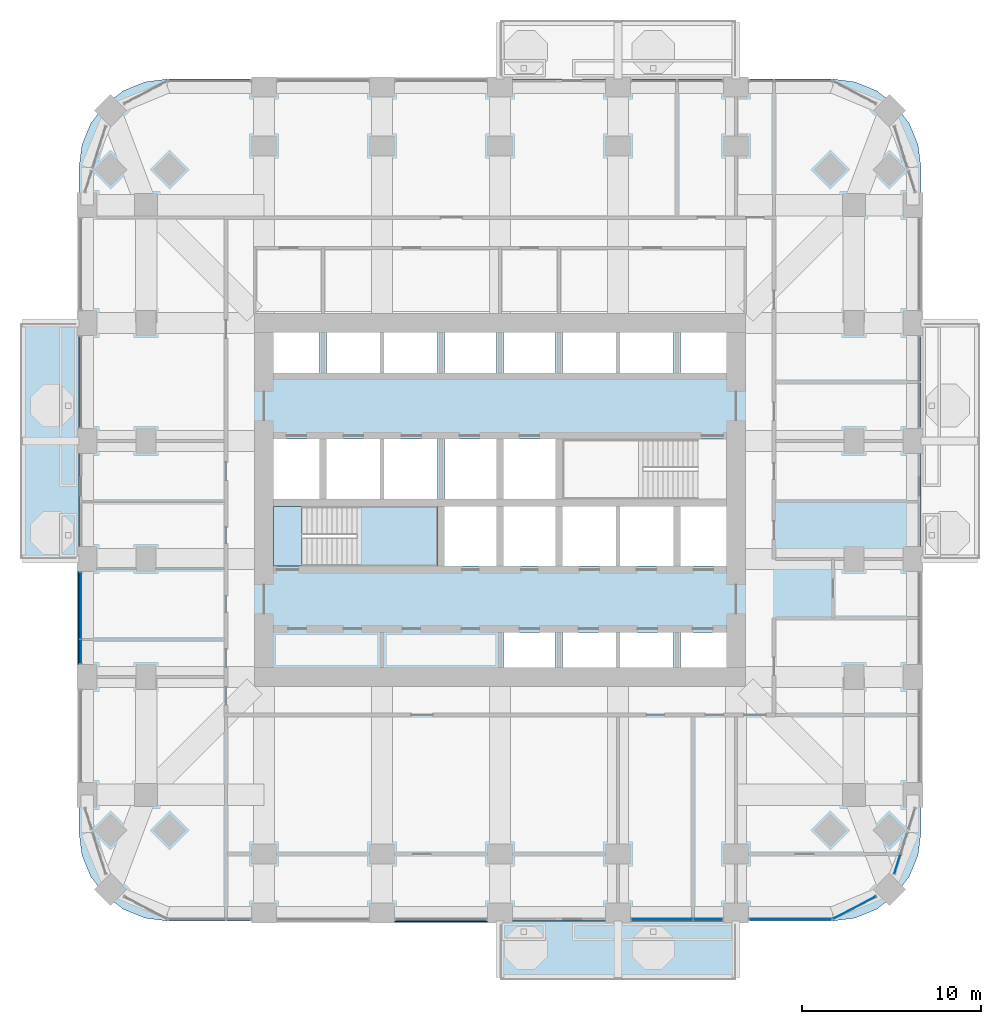
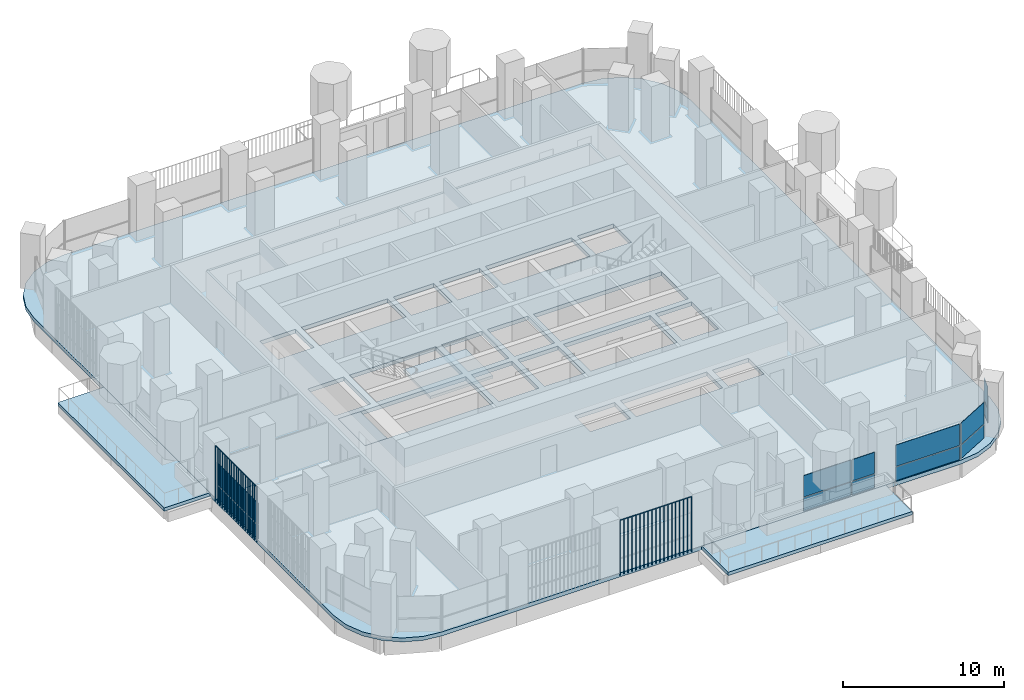
# One storey, part 10 of 22: 16 plates, 5 slabs, 6 elements without a shape of their own.
"""IFC4 building model written with IfcOpenShell, lengths in metres."""

from ifc_helpers import new_model, si_unit, direction, frame, origin, origin_2d, place, context, subcontext, project, spatial, polyline, rectangle, outline, extrude, material, layer, layer_set, type_object, element, aggregate, save


model = new_model("IFC4")

# Units and contexts
model_context = context("Model", 3, precision=1e-05, world=origin(), true_north=direction((0.0, 1.0)))
body_context = subcontext(model_context, "Body", "Model", "MODEL_VIEW")
ifc_project = project(units=[si_unit("LENGTHUNIT", "METRE"), si_unit("AREAUNIT", "SQUARE_METRE"), si_unit("VOLUMEUNIT", "CUBIC_METRE"), si_unit("PLANEANGLEUNIT", "RADIAN"), si_unit("MASSUNIT", "GRAM", prefix="KILO")], contexts=[model_context])

# Site, building, storey
site_placement = place(None, origin())
site = spatial("IfcSite", under=ifc_project, at=site_placement, CompositionType="ELEMENT")
building_placement = place(site_placement, origin())
building = spatial("IfcBuilding", under=site, at=building_placement, Name="Cobogo Forest Laboratory Tower", CompositionType="ELEMENT")
storey_placement = place(building_placement, frame((0.0, 0.0, 120.0)))
storey = spatial("IfcBuildingStorey", under=building, at=storey_placement, Name="L27", CompositionType="ELEMENT", Elevation=120.0)

# Slabs
ifc_material_1 = material(Name="Concrete HA-40 (C40/50)", Category="concrete")
ifc_layer_1 = layer(ifc_material_1, 0.25)
ifc_layer_set_1 = layer_set([ifc_layer_1], Name="Balcony slab 250")
slab_type_1 = type_object("IfcSlabType", Name="Balcony slab 250", PredefinedType="FLOOR", material=ifc_layer_set_1)
slab_1_placement = place(storey_placement, frame((0.0, 0.0, -0.25)))
element("IfcSlab", 1, at=slab_1_placement, inside=storey, type_object=slab_type_1, Name="Balcony BAL-S1 L27", PredefinedType="FLOOR", context=body_context, shape_type="SweptSolid", body=[
    extrude(outline(polyline([(26.39990234375, -3.75), (39.60009765625, -3.75), (39.60009765625, -0.449951171875), (26.39990234375, -0.449951171875), (26.39990234375, -3.75)])), origin(), (0.0, 0.0, 1.0), 0.25),
])
slab_2_placement = place(storey_placement, frame((0.0, 0.0, -0.25)))
element("IfcSlab", 2, at=slab_2_placement, inside=storey, type_object=slab_type_1, Name="Balcony BAL-W1 L27", PredefinedType="FLOOR", context=body_context, shape_type="SweptSolid", body=[
    extrude(outline(polyline([(-0.449951171875, 19.800048828125), (2.85009765625, 19.800048828125), (2.85009765625, 33.0), (-0.449951171875, 33.0), (-0.449951171875, 19.800048828125)])), origin(), (0.0, 0.0, 1.0), 0.25),
])
ifc_layer_2 = layer(ifc_material_1, 0.300048828125)
ifc_layer_set_2 = layer_set([ifc_layer_2], Name="Floor slab 300")
slab_type_2 = type_object("IfcSlabType", Name="Floor slab 300", PredefinedType="FLOOR", material=ifc_layer_set_2)
slab_3_placement = place(storey_placement, frame((0.0, 0.0, -0.300048828125)))
element("IfcSlab", 3, at=slab_3_placement, inside=storey, type_object=slab_type_2, Name="L27 floor slab", PredefinedType="FLOOR", context=body_context, shape_type="SweptSolid", body=[
    extrude(outline(polyline([(45.0, -0.449951171875), (46.28125, -0.28125), (47.47509765625, 0.213134765625), (48.500244140625, 0.999755859375), (49.286865234375, 2.02490234375), (49.78125, 3.21875), (49.949951171875, 4.5), (49.949951171875, 41.699951171875), (49.78125, 42.981201171875), (49.286865234375, 44.175048828125), (48.500244140625, 45.2001953125), (47.47509765625, 45.98681640625), (46.28125, 46.4814453125), (45.0, 46.64990234375), (7.800048828125, 46.64990234375), (6.518798828125, 46.4814453125), (5.324951171875, 45.98681640625), (4.2998046875, 45.2001953125), (3.51318359375, 44.175048828125), (3.0185546875, 42.981201171875), (2.85009765625, 41.699951171875), (2.85009765625, 4.5), (3.0185546875, 3.21875), (3.51318359375, 2.02490234375), (4.2998046875, 0.999755859375), (5.324951171875, 0.213134765625), (6.518798828125, -0.28125), (7.800048828125, -0.449951171875), (45.0, -0.449951171875)]), holes=[polyline([(29.5, 13.72509765625), (26.60009765625, 13.72509765625), (26.60009765625, 15.699951171875), (29.5, 15.699951171875), (29.5, 13.72509765625)]), polyline([(36.10009765625, 15.699951171875), (36.10009765625, 13.72509765625), (29.89990234375, 13.72509765625), (29.89990234375, 15.699951171875), (36.10009765625, 15.699951171875)]), polyline([(36.5, 13.72509765625), (36.5, 15.699951171875), (39.074951171875, 15.699951171875), (39.074951171875, 13.72509765625), (36.5, 13.72509765625)]), polyline([(13.72509765625, 19.39990234375), (13.72509765625, 22.75), (22.89990234375, 22.75), (22.89990234375, 19.39990234375), (13.72509765625, 19.39990234375)]), polyline([(23.300048828125, 19.39990234375), (23.300048828125, 22.75), (26.199951171875, 22.75), (26.199951171875, 19.39990234375), (23.300048828125, 19.39990234375)]), polyline([(29.5, 19.39990234375), (26.60009765625, 19.39990234375), (26.60009765625, 22.75), (29.5, 22.75), (29.5, 19.39990234375)]), polyline([(36.10009765625, 22.75), (36.10009765625, 19.39990234375), (29.89990234375, 19.39990234375), (29.89990234375, 22.75), (36.10009765625, 22.75)]), polyline([(39.074951171875, 19.39990234375), (36.5, 19.39990234375), (36.5, 22.75), (39.074951171875, 22.75), (39.074951171875, 19.39990234375)]), polyline([(16.300048828125, 23.14990234375), (13.72509765625, 23.14990234375), (13.72509765625, 26.5), (16.300048828125, 26.5), (16.300048828125, 23.14990234375)]), polyline([(22.89990234375, 26.5), (22.89990234375, 23.14990234375), (16.699951171875, 23.14990234375), (16.699951171875, 26.5), (22.89990234375, 26.5)]), polyline([(26.199951171875, 23.14990234375), (23.300048828125, 23.14990234375), (23.300048828125, 26.5), (26.199951171875, 26.5), (26.199951171875, 23.14990234375)]), polyline([(26.60009765625, 23.14990234375), (26.60009765625, 26.5), (29.5, 26.5), (29.5, 23.14990234375), (26.60009765625, 23.14990234375)]), polyline([(29.89990234375, 23.14990234375), (29.89990234375, 26.5), (39.074951171875, 26.5), (39.074951171875, 23.14990234375), (29.89990234375, 23.14990234375)]), polyline([(13.72509765625, 30.199951171875), (13.72509765625, 32.47509765625), (16.300048828125, 32.47509765625), (16.300048828125, 30.199951171875), (13.72509765625, 30.199951171875)]), polyline([(22.89990234375, 32.47509765625), (22.89990234375, 30.199951171875), (16.699951171875, 30.199951171875), (16.699951171875, 32.47509765625), (22.89990234375, 32.47509765625)]), polyline([(23.300048828125, 30.199951171875), (23.300048828125, 32.47509765625), (26.199951171875, 32.47509765625), (26.199951171875, 30.199951171875), (23.300048828125, 30.199951171875)]), polyline([(26.60009765625, 30.199951171875), (26.60009765625, 32.47509765625), (29.5, 32.47509765625), (29.5, 30.199951171875), (26.60009765625, 30.199951171875)]), polyline([(36.10009765625, 32.47509765625), (36.10009765625, 30.199951171875), (29.89990234375, 30.199951171875), (29.89990234375, 32.47509765625), (36.10009765625, 32.47509765625)]), polyline([(36.5, 30.199951171875), (36.5, 32.47509765625), (39.074951171875, 32.47509765625), (39.074951171875, 30.199951171875), (36.5, 30.199951171875)])]), origin(), (0.0, 0.0, 1.0), 0.300048828125),
])

# Curtain wall, plates
ifc_material_2 = material(Name="Aluminium curtain wall", Category="aluminium")
curtain_wall_type = type_object("IfcCurtainWallType", Name="CW-1 unitised curtain wall, clear glazing, laboratory floors zones A and B", PredefinedType="USERDEFINED", material=ifc_material_2)
curtain_wall_1_placement = place(storey_placement, origin())
curtain_wall_1 = element("IfcCurtainWall", 4, at=curtain_wall_1_placement, inside=storey, type_object=curtain_wall_type, Name="Curtain wall 05 L27", ObjectType="UNITISED CURTAIN WALL", PredefinedType="USERDEFINED")
ifc_material_3 = material(Name="Clear insulated glass", Category="glass")
ifc_layer_3 = layer(ifc_material_3, 0.028076171875)
ifc_layer_set_3 = layer_set([ifc_layer_3], Name="GP-1 clear insulated glass unit 28")
plate_type_1 = type_object("IfcPlateType", Name="GP-1 clear insulated glass unit 28", PredefinedType="CURTAIN_PANEL", material=ifc_layer_set_3)
plate_1_placement = place(storey_placement, frame((35.465087890625, -0.35009765625, 0.0), z_axis=(0.0, 0.0, 1.0), x_axis=(1.0, 0.0, 0.0)))
plate_1 = element("IfcPlate", 5, at=plate_1_placement, type_object=plate_type_1, Name="CW-1 panel 1.1", PredefinedType="CURTAIN_PANEL", context=body_context, shape_type="SweptSolid", body=[
    extrude(rectangle(XDim=3.409912109375, YDim=0.028076171875, at=origin_2d()), origin(), (0.0, 0.0, 1.0), 1.02001953125),
])
plate_2_placement = place(storey_placement, frame((35.465087890625, -0.35009765625, 1.079833984375), z_axis=(0.0, 0.0, 1.0), x_axis=(1.0, 0.0, 0.0)))
plate_2 = element("IfcPlate", 6, at=plate_2_placement, type_object=plate_type_1, Name="CW-1 panel 1.2", PredefinedType="CURTAIN_PANEL", context=body_context, shape_type="SweptSolid", body=[
    extrude(rectangle(XDim=3.409912109375, YDim=0.028076171875, at=origin_2d()), origin(), (0.0, 0.0, 1.0), 1.6201171875),
])
plate_3_placement = place(storey_placement, frame((38.034912109375, -0.35009765625, 0.0), z_axis=(0.0, 0.0, 1.0), x_axis=(1.0, 0.0, 0.0)))
plate_3 = element("IfcPlate", 7, at=plate_3_placement, type_object=plate_type_1, Name="CW-1 panel 2.1", PredefinedType="CURTAIN_PANEL", context=body_context, shape_type="SweptSolid", body=[
    extrude(rectangle(XDim=1.610107421875, YDim=0.028076171875, at=origin_2d()), origin(), (0.0, 0.0, 1.0), 1.02001953125),
])
plate_4_placement = place(storey_placement, frame((38.034912109375, -0.35009765625, 1.079833984375), z_axis=(0.0, 0.0, 1.0), x_axis=(1.0, 0.0, 0.0)))
plate_4 = element("IfcPlate", 8, at=plate_4_placement, type_object=plate_type_1, Name="CW-1 panel 2.2", PredefinedType="CURTAIN_PANEL", context=body_context, shape_type="SweptSolid", body=[
    extrude(rectangle(XDim=1.610107421875, YDim=0.028076171875, at=origin_2d()), origin(), (0.0, 0.0, 1.0), 1.6201171875),
])
aggregate(curtain_wall_1, [plate_1, plate_2, plate_3, plate_4])

curtain_wall_2_placement = place(storey_placement, origin())
curtain_wall_2 = element("IfcCurtainWall", 9, at=curtain_wall_2_placement, inside=storey, type_object=curtain_wall_type, Name="Curtain wall 06 L27", ObjectType="UNITISED CURTAIN WALL", PredefinedType="USERDEFINED")
plate_5_placement = place(storey_placement, frame((42.64990234375, -0.35009765625, 0.0), z_axis=(0.0, 0.0, 1.0), x_axis=(1.0, 0.0, 0.0)))
plate_5 = element("IfcPlate", 10, at=plate_5_placement, type_object=plate_type_1, Name="CW-1 panel 1.1", PredefinedType="CURTAIN_PANEL", context=body_context, shape_type="SweptSolid", body=[
    extrude(rectangle(XDim=4.580078125, YDim=0.028076171875, at=origin_2d()), origin(), (0.0, 0.0, 1.0), 1.02001953125),
])
plate_6_placement = place(storey_placement, frame((42.64990234375, -0.35009765625, 1.079833984375), z_axis=(0.0, 0.0, 1.0), x_axis=(1.0, 0.0, 0.0)))
plate_6 = element("IfcPlate", 11, at=plate_6_placement, type_object=plate_type_1, Name="CW-1 panel 1.2", PredefinedType="CURTAIN_PANEL", context=body_context, shape_type="SweptSolid", body=[
    extrude(rectangle(XDim=4.580078125, YDim=0.028076171875, at=origin_2d()), origin(), (0.0, 0.0, 1.0), 1.6201171875),
])
aggregate(curtain_wall_2, [plate_5, plate_6])

curtain_wall_3_placement = place(storey_placement, origin())
curtain_wall_3 = element("IfcCurtainWall", 12, at=curtain_wall_3_placement, inside=storey, type_object=curtain_wall_type, Name="Curtain wall 07 L27", ObjectType="UNITISED CURTAIN WALL", PredefinedType="USERDEFINED")
plate_7_placement = place(storey_placement, frame((46.229248046875, 0.29443359375, 0.0), z_axis=(0.0, 0.0, 1.0), x_axis=(0.885686547075, 0.464283685186, 0.0)))
plate_7 = element("IfcPlate", 13, at=plate_7_placement, type_object=plate_type_1, Name="CW-1 panel 1.1", PredefinedType="CURTAIN_PANEL", context=body_context, shape_type="SweptSolid", body=[
    extrude(rectangle(XDim=2.655517578125, YDim=0.028076171875, at=origin_2d()), origin(), (0.0, 0.0, 1.0), 1.02001953125),
])
plate_8_placement = place(storey_placement, frame((46.229248046875, 0.29443359375, 1.079833984375), z_axis=(0.0, 0.0, 1.0), x_axis=(0.885686547075, 0.464283685186, 0.0)))
plate_8 = element("IfcPlate", 14, at=plate_8_placement, type_object=plate_type_1, Name="CW-1 panel 1.2", PredefinedType="CURTAIN_PANEL", context=body_context, shape_type="SweptSolid", body=[
    extrude(rectangle(XDim=2.655517578125, YDim=0.028076171875, at=origin_2d()), origin(), (0.0, 0.0, 1.0), 1.6201171875),
])
aggregate(curtain_wall_3, [plate_7, plate_8])

curtain_wall_4_placement = place(storey_placement, origin())
curtain_wall_4 = element("IfcCurtainWall", 15, at=curtain_wall_4_placement, inside=storey, type_object=curtain_wall_type, Name="Curtain wall 08 L27", ObjectType="UNITISED CURTAIN WALL", PredefinedType="USERDEFINED")
plate_9_placement = place(storey_placement, frame((48.6279296875, 2.73046875, 0.0), z_axis=(0.0, 0.0, 1.0), x_axis=(0.301135291996, 0.953581425949, 0.0)))
plate_9 = element("IfcPlate", 16, at=plate_9_placement, type_object=plate_type_1, Name="CW-1 panel 1.1", PredefinedType="CURTAIN_PANEL", context=body_context, shape_type="SweptSolid", body=[
    extrude(rectangle(XDim=1.083984375, YDim=0.028076171875, at=origin_2d()), origin(), (0.0, 0.0, 1.0), 1.02001953125),
])
plate_10_placement = place(storey_placement, frame((48.6279296875, 2.73046875, 1.079833984375), z_axis=(0.0, 0.0, 1.0), x_axis=(0.301135291996, 0.953581425949, 0.0)))
plate_10 = element("IfcPlate", 17, at=plate_10_placement, type_object=plate_type_1, Name="CW-1 panel 1.2", PredefinedType="CURTAIN_PANEL", context=body_context, shape_type="SweptSolid", body=[
    extrude(rectangle(XDim=1.083984375, YDim=0.028076171875, at=origin_2d()), origin(), (0.0, 0.0, 1.0), 1.6201171875),
])
aggregate(curtain_wall_4, [plate_9, plate_10])

curtain_wall_5_placement = place(storey_placement, origin())
curtain_wall_5 = element("IfcCurtainWall", 18, at=curtain_wall_5_placement, inside=storey, type_object=curtain_wall_type, Name="Curtain wall 30 L27", ObjectType="UNITISED CURTAIN WALL", PredefinedType="USERDEFINED")
plate_11_placement = place(storey_placement, frame((2.949951171875, 17.18505859375, 0.0), z_axis=(0.0, 0.0, 1.0), x_axis=(0.0, -1.0, 0.0)))
plate_11 = element("IfcPlate", 19, at=plate_11_placement, type_object=plate_type_1, Name="CW-1 panel 1.1", PredefinedType="CURTAIN_PANEL", context=body_context, shape_type="SweptSolid", body=[
    extrude(rectangle(XDim=3.7099609375, YDim=0.028076171875, at=origin_2d()), origin(), (0.0, 0.0, 1.0), 1.02001953125),
])
plate_12_placement = place(storey_placement, frame((2.949951171875, 17.18505859375, 1.079833984375), z_axis=(0.0, 0.0, 1.0), x_axis=(0.0, -1.0, 0.0)))
plate_12 = element("IfcPlate", 20, at=plate_12_placement, type_object=plate_type_1, Name="CW-1 panel 1.2", PredefinedType="CURTAIN_PANEL", context=body_context, shape_type="SweptSolid", body=[
    extrude(rectangle(XDim=3.7099609375, YDim=0.028076171875, at=origin_2d()), origin(), (0.0, 0.0, 1.0), 1.6201171875),
])
plate_13_placement = place(storey_placement, frame((2.949951171875, 14.614990234375, 0.0), z_axis=(0.0, 0.0, 1.0), x_axis=(0.0, -1.0, 0.0)))
plate_13 = element("IfcPlate", 21, at=plate_13_placement, type_object=plate_type_1, Name="CW-1 panel 2.1", PredefinedType="CURTAIN_PANEL", context=body_context, shape_type="SweptSolid", body=[
    extrude(rectangle(XDim=1.31005859375, YDim=0.028076171875, at=origin_2d()), origin(), (0.0, 0.0, 1.0), 1.02001953125),
])
plate_14_placement = place(storey_placement, frame((2.949951171875, 14.614990234375, 1.079833984375), z_axis=(0.0, 0.0, 1.0), x_axis=(0.0, -1.0, 0.0)))
plate_14 = element("IfcPlate", 22, at=plate_14_placement, type_object=plate_type_1, Name="CW-1 panel 2.2", PredefinedType="CURTAIN_PANEL", context=body_context, shape_type="SweptSolid", body=[
    extrude(rectangle(XDim=1.31005859375, YDim=0.028076171875, at=origin_2d()), origin(), (0.0, 0.0, 1.0), 1.6201171875),
])
aggregate(curtain_wall_5, [plate_11, plate_12, plate_13, plate_14])

# Stair, slabs
ifc_material_4 = material(Name="Precast concrete HA-40 (C40/50)", Category="concrete")
stair_type = type_object("IfcStairType", Name="ST24 exit stair 24 risers", PredefinedType="HALF_TURN_STAIR", material=ifc_material_4)
stair_placement = place(storey_placement, origin())
stair = element("IfcStair", 23, at=stair_placement, inside=storey, type_object=stair_type, Name="Stair 1 L27 to L28", PredefinedType="HALF_TURN_STAIR")
ifc_layer_4 = layer(ifc_material_1, 0.199951171875)
ifc_layer_set_4 = layer_set([ifc_layer_4], Name="SL stair landing 200")
slab_type_3 = type_object("IfcSlabType", Name="SL stair landing 200", PredefinedType="LANDING", material=ifc_layer_set_4)
slab_4_placement = place(storey_placement, frame((0.0, 0.0, -0.199951171875)))
slab_4 = element("IfcSlab", 24, at=slab_4_placement, type_object=slab_type_3, Name="ST1 landing 1", PredefinedType="LANDING", context=body_context, shape_type="SweptSolid", body=[
    extrude(outline(polyline([(13.72509765625, 19.39990234375), (15.326904296875, 19.39990234375), (15.326904296875, 22.75), (13.72509765625, 22.75), (13.72509765625, 19.39990234375)])), origin(), (0.0, 0.0, 1.0), 0.199951171875),
])
slab_5_placement = place(storey_placement, frame((0.0, 0.0, 1.89990234375)))
slab_5 = element("IfcSlab", 25, at=slab_5_placement, type_object=slab_type_3, Name="ST1 landing 2", PredefinedType="LANDING", context=body_context, shape_type="SweptSolid", body=[
    extrude(outline(polyline([(18.403076171875, 19.39990234375), (22.89990234375, 19.39990234375), (22.89990234375, 22.75), (18.403076171875, 22.75), (18.403076171875, 19.39990234375)])), origin(), (0.0, 0.0, 1.0), 0.2001953125),
])
aggregate(stair, [slab_4, slab_5])

# Plates
ifc_material_5 = material(Name="Terracotta", Category="masonry")
plate_type_2 = type_object("IfcPlateType", Name="TB1 terracotta baguette screen", PredefinedType="USERDEFINED", material=ifc_material_5)
plate_15_placement = place(storey_placement, frame((20.53125, -0.477783203125, -0.14990234375)))
element("IfcPlate", 26, at=plate_15_placement, inside=storey, type_object=plate_type_2, Name="Baguette screen S2 L27", ObjectType="BAGUETTE SCREEN", PredefinedType="USERDEFINED", context=body_context, shape_type="SweptSolid", body=[
    extrude(outline(polyline([(0.02880859375, 0.011962890625), (0.011962890625, 0.02880859375), (-0.011962890625, 0.02880859375), (-0.02880859375, 0.011962890625), (-0.02880859375, -0.011962890625), (-0.011962890625, -0.02880859375), (0.011962890625, -0.02880859375), (0.02880859375, -0.011962890625), (0.02880859375, 0.011962890625)])), frame((0.0, 0.0, 4.168701171875), z_axis=(1.0, 0.0, 0.0), x_axis=(0.0, 1.0, 0.0)), (0.0, 0.0, 1.0), 5.137451171875),
    extrude(outline(polyline([(0.02880859375, 0.011962890625), (0.011962890625, 0.02880859375), (-0.011962890625, 0.02880859375), (-0.02880859375, 0.011962890625), (-0.02880859375, -0.011962890625), (-0.011962890625, -0.02880859375), (0.011962890625, -0.02880859375), (0.02880859375, -0.011962890625), (0.02880859375, 0.011962890625)])), origin(), (0.0, 0.0, 1.0), 4.137451171875),
    extrude(outline(polyline([(0.02880859375, 0.011962890625), (0.011962890625, 0.02880859375), (-0.011962890625, 0.02880859375), (-0.02880859375, 0.011962890625), (-0.02880859375, -0.011962890625), (-0.011962890625, -0.02880859375), (0.011962890625, -0.02880859375), (0.02880859375, -0.011962890625), (0.02880859375, 0.011962890625)])), frame((0.285400390625, 0.0, 0.0)), (0.0, 0.0, 1.0), 4.137451171875),
    extrude(outline(polyline([(0.02880859375, 0.011962890625), (0.011962890625, 0.02880859375), (-0.011962890625, 0.02880859375), (-0.02880859375, 0.011962890625), (-0.02880859375, -0.011962890625), (-0.011962890625, -0.02880859375), (0.011962890625, -0.02880859375), (0.02880859375, -0.011962890625), (0.02880859375, 0.011962890625)])), frame((0.57080078125, 0.0, 0.0)), (0.0, 0.0, 1.0), 4.137451171875),
    extrude(outline(polyline([(0.02880859375, 0.011962890625), (0.011962890625, 0.02880859375), (-0.011962890625, 0.02880859375), (-0.02880859375, 0.011962890625), (-0.02880859375, -0.011962890625), (-0.011962890625, -0.02880859375), (0.011962890625, -0.02880859375), (0.02880859375, -0.011962890625), (0.02880859375, 0.011962890625)])), frame((0.856201171875, 0.0, 0.0)), (0.0, 0.0, 1.0), 4.137451171875),
    extrude(outline(polyline([(0.02880859375, 0.011962890625), (0.011962890625, 0.02880859375), (-0.011962890625, 0.02880859375), (-0.02880859375, 0.011962890625), (-0.02880859375, -0.011962890625), (-0.011962890625, -0.02880859375), (0.011962890625, -0.02880859375), (0.02880859375, -0.011962890625), (0.02880859375, 0.011962890625)])), frame((1.1416015625, 0.0, 0.0)), (0.0, 0.0, 1.0), 4.137451171875),
    extrude(outline(polyline([(0.02880859375, 0.011962890625), (0.011962890625, 0.02880859375), (-0.011962890625, 0.02880859375), (-0.02880859375, 0.011962890625), (-0.02880859375, -0.011962890625), (-0.011962890625, -0.02880859375), (0.011962890625, -0.02880859375), (0.02880859375, -0.011962890625), (0.02880859375, 0.011962890625)])), frame((1.427001953125, 0.0, 0.0)), (0.0, 0.0, 1.0), 4.137451171875),
    extrude(outline(polyline([(0.02880859375, 0.011962890625), (0.011962890625, 0.02880859375), (-0.011962890625, 0.02880859375), (-0.02880859375, 0.011962890625), (-0.02880859375, -0.011962890625), (-0.011962890625, -0.02880859375), (0.011962890625, -0.02880859375), (0.02880859375, -0.011962890625), (0.02880859375, 0.011962890625)])), frame((1.71240234375, 0.0, 0.0)), (0.0, 0.0, 1.0), 4.137451171875),
    extrude(outline(polyline([(0.02880859375, 0.011962890625), (0.011962890625, 0.02880859375), (-0.011962890625, 0.02880859375), (-0.02880859375, 0.011962890625), (-0.02880859375, -0.011962890625), (-0.011962890625, -0.02880859375), (0.011962890625, -0.02880859375), (0.02880859375, -0.011962890625), (0.02880859375, 0.011962890625)])), frame((1.997802734375, 0.0, 0.0)), (0.0, 0.0, 1.0), 4.137451171875),
    extrude(outline(polyline([(0.02880859375, 0.011962890625), (0.011962890625, 0.02880859375), (-0.011962890625, 0.02880859375), (-0.02880859375, 0.011962890625), (-0.02880859375, -0.011962890625), (-0.011962890625, -0.02880859375), (0.011962890625, -0.02880859375), (0.02880859375, -0.011962890625), (0.02880859375, 0.011962890625)])), frame((2.283203125, 0.0, 0.0)), (0.0, 0.0, 1.0), 4.137451171875),
    extrude(outline(polyline([(0.02880859375, 0.011962890625), (0.011962890625, 0.02880859375), (-0.011962890625, 0.02880859375), (-0.02880859375, 0.011962890625), (-0.02880859375, -0.011962890625), (-0.011962890625, -0.02880859375), (0.011962890625, -0.02880859375), (0.02880859375, -0.011962890625), (0.02880859375, 0.011962890625)])), frame((2.56884765625, 0.0, 0.0)), (0.0, 0.0, 1.0), 4.137451171875),
    extrude(outline(polyline([(0.02880859375, 0.011962890625), (0.011962890625, 0.02880859375), (-0.011962890625, 0.02880859375), (-0.02880859375, 0.011962890625), (-0.02880859375, -0.011962890625), (-0.011962890625, -0.02880859375), (0.011962890625, -0.02880859375), (0.02880859375, -0.011962890625), (0.02880859375, 0.011962890625)])), frame((2.854248046875, 0.0, 0.0)), (0.0, 0.0, 1.0), 4.137451171875),
    extrude(outline(polyline([(0.02880859375, 0.011962890625), (0.011962890625, 0.02880859375), (-0.011962890625, 0.02880859375), (-0.02880859375, 0.011962890625), (-0.02880859375, -0.011962890625), (-0.011962890625, -0.02880859375), (0.011962890625, -0.02880859375), (0.02880859375, -0.011962890625), (0.02880859375, 0.011962890625)])), frame((3.1396484375, 0.0, 0.0)), (0.0, 0.0, 1.0), 4.137451171875),
    extrude(outline(polyline([(0.02880859375, 0.011962890625), (0.011962890625, 0.02880859375), (-0.011962890625, 0.02880859375), (-0.02880859375, 0.011962890625), (-0.02880859375, -0.011962890625), (-0.011962890625, -0.02880859375), (0.011962890625, -0.02880859375), (0.02880859375, -0.011962890625), (0.02880859375, 0.011962890625)])), frame((3.425048828125, 0.0, 0.0)), (0.0, 0.0, 1.0), 4.137451171875),
    extrude(outline(polyline([(0.02880859375, 0.011962890625), (0.011962890625, 0.02880859375), (-0.011962890625, 0.02880859375), (-0.02880859375, 0.011962890625), (-0.02880859375, -0.011962890625), (-0.011962890625, -0.02880859375), (0.011962890625, -0.02880859375), (0.02880859375, -0.011962890625), (0.02880859375, 0.011962890625)])), frame((3.71044921875, 0.0, 0.0)), (0.0, 0.0, 1.0), 4.137451171875),
    extrude(outline(polyline([(0.02880859375, 0.011962890625), (0.011962890625, 0.02880859375), (-0.011962890625, 0.02880859375), (-0.02880859375, 0.011962890625), (-0.02880859375, -0.011962890625), (-0.011962890625, -0.02880859375), (0.011962890625, -0.02880859375), (0.02880859375, -0.011962890625), (0.02880859375, 0.011962890625)])), frame((3.995849609375, 0.0, 0.0)), (0.0, 0.0, 1.0), 4.137451171875),
    extrude(outline(polyline([(0.02880859375, 0.011962890625), (0.011962890625, 0.02880859375), (-0.011962890625, 0.02880859375), (-0.02880859375, 0.011962890625), (-0.02880859375, -0.011962890625), (-0.011962890625, -0.02880859375), (0.011962890625, -0.02880859375), (0.02880859375, -0.011962890625), (0.02880859375, 0.011962890625)])), frame((4.28125, 0.0, 0.0)), (0.0, 0.0, 1.0), 4.137451171875),
    extrude(outline(polyline([(0.02880859375, 0.011962890625), (0.011962890625, 0.02880859375), (-0.011962890625, 0.02880859375), (-0.02880859375, 0.011962890625), (-0.02880859375, -0.011962890625), (-0.011962890625, -0.02880859375), (0.011962890625, -0.02880859375), (0.02880859375, -0.011962890625), (0.02880859375, 0.011962890625)])), frame((4.566650390625, 0.0, 0.0)), (0.0, 0.0, 1.0), 4.137451171875),
    extrude(outline(polyline([(0.02880859375, 0.011962890625), (0.011962890625, 0.02880859375), (-0.011962890625, 0.02880859375), (-0.02880859375, 0.011962890625), (-0.02880859375, -0.011962890625), (-0.011962890625, -0.02880859375), (0.011962890625, -0.02880859375), (0.02880859375, -0.011962890625), (0.02880859375, 0.011962890625)])), frame((4.85205078125, 0.0, 0.0)), (0.0, 0.0, 1.0), 4.137451171875),
    extrude(outline(polyline([(0.02880859375, 0.011962890625), (0.011962890625, 0.02880859375), (-0.011962890625, 0.02880859375), (-0.02880859375, 0.011962890625), (-0.02880859375, -0.011962890625), (-0.011962890625, -0.02880859375), (0.011962890625, -0.02880859375), (0.02880859375, -0.011962890625), (0.02880859375, 0.011962890625)])), frame((5.137451171875, 0.0, 0.0)), (0.0, 0.0, 1.0), 4.137451171875),
])
plate_16_placement = place(storey_placement, frame((2.822021484375, 13.93115234375, -0.14990234375)))
element("IfcPlate", 27, at=plate_16_placement, inside=storey, type_object=plate_type_2, Name="Baguette screen W2 L27", ObjectType="BAGUETTE SCREEN", PredefinedType="USERDEFINED", context=body_context, shape_type="SweptSolid", body=[
    extrude(outline(polyline([(0.02880859375, 0.011962890625), (0.011962890625, 0.02880859375), (-0.011962890625, 0.02880859375), (-0.02880859375, 0.011962890625), (-0.02880859375, -0.011962890625), (-0.011962890625, -0.02880859375), (0.011962890625, -0.02880859375), (0.02880859375, -0.011962890625), (0.02880859375, 0.011962890625)])), frame((0.0, 0.0, 4.168701171875), z_axis=(0.0, 1.0, 0.0), x_axis=(-1.0, 0.0, 0.0)), (0.0, 0.0, 1.0), 5.1376953125),
    extrude(outline(polyline([(0.02880859375, 0.011962890625), (0.011962890625, 0.02880859375), (-0.011962890625, 0.02880859375), (-0.02880859375, 0.011962890625), (-0.02880859375, -0.011962890625), (-0.011962890625, -0.02880859375), (0.011962890625, -0.02880859375), (0.02880859375, -0.011962890625), (0.02880859375, 0.011962890625)])), origin(), (0.0, 0.0, 1.0), 4.137451171875),
    extrude(outline(polyline([(0.02880859375, 0.011962890625), (0.011962890625, 0.02880859375), (-0.011962890625, 0.02880859375), (-0.02880859375, 0.011962890625), (-0.02880859375, -0.011962890625), (-0.011962890625, -0.02880859375), (0.011962890625, -0.02880859375), (0.02880859375, -0.011962890625), (0.02880859375, 0.011962890625)])), frame((0.0, 0.285400390625, 0.0)), (0.0, 0.0, 1.0), 4.137451171875),
    extrude(outline(polyline([(0.02880859375, 0.011962890625), (0.011962890625, 0.02880859375), (-0.011962890625, 0.02880859375), (-0.02880859375, 0.011962890625), (-0.02880859375, -0.011962890625), (-0.011962890625, -0.02880859375), (0.011962890625, -0.02880859375), (0.02880859375, -0.011962890625), (0.02880859375, 0.011962890625)])), frame((0.0, 0.57080078125, 0.0)), (0.0, 0.0, 1.0), 4.137451171875),
    extrude(outline(polyline([(0.02880859375, 0.011962890625), (0.011962890625, 0.02880859375), (-0.011962890625, 0.02880859375), (-0.02880859375, 0.011962890625), (-0.02880859375, -0.011962890625), (-0.011962890625, -0.02880859375), (0.011962890625, -0.02880859375), (0.02880859375, -0.011962890625), (0.02880859375, 0.011962890625)])), frame((0.0, 0.856201171875, 0.0)), (0.0, 0.0, 1.0), 4.137451171875),
    extrude(outline(polyline([(0.02880859375, 0.011962890625), (0.011962890625, 0.02880859375), (-0.011962890625, 0.02880859375), (-0.02880859375, 0.011962890625), (-0.02880859375, -0.011962890625), (-0.011962890625, -0.02880859375), (0.011962890625, -0.02880859375), (0.02880859375, -0.011962890625), (0.02880859375, 0.011962890625)])), frame((0.0, 1.1416015625, 0.0)), (0.0, 0.0, 1.0), 4.137451171875),
    extrude(outline(polyline([(0.02880859375, 0.011962890625), (0.011962890625, 0.02880859375), (-0.011962890625, 0.02880859375), (-0.02880859375, 0.011962890625), (-0.02880859375, -0.011962890625), (-0.011962890625, -0.02880859375), (0.011962890625, -0.02880859375), (0.02880859375, -0.011962890625), (0.02880859375, 0.011962890625)])), frame((0.0, 1.42724609375, 0.0)), (0.0, 0.0, 1.0), 4.137451171875),
    extrude(outline(polyline([(0.02880859375, 0.011962890625), (0.011962890625, 0.02880859375), (-0.011962890625, 0.02880859375), (-0.02880859375, 0.011962890625), (-0.02880859375, -0.011962890625), (-0.011962890625, -0.02880859375), (0.011962890625, -0.02880859375), (0.02880859375, -0.011962890625), (0.02880859375, 0.011962890625)])), frame((0.0, 1.712646484375, 0.0)), (0.0, 0.0, 1.0), 4.137451171875),
    extrude(outline(polyline([(0.02880859375, 0.011962890625), (0.011962890625, 0.02880859375), (-0.011962890625, 0.02880859375), (-0.02880859375, 0.011962890625), (-0.02880859375, -0.011962890625), (-0.011962890625, -0.02880859375), (0.011962890625, -0.02880859375), (0.02880859375, -0.011962890625), (0.02880859375, 0.011962890625)])), frame((0.0, 1.998046875, 0.0)), (0.0, 0.0, 1.0), 4.137451171875),
    extrude(outline(polyline([(0.02880859375, 0.011962890625), (0.011962890625, 0.02880859375), (-0.011962890625, 0.02880859375), (-0.02880859375, 0.011962890625), (-0.02880859375, -0.011962890625), (-0.011962890625, -0.02880859375), (0.011962890625, -0.02880859375), (0.02880859375, -0.011962890625), (0.02880859375, 0.011962890625)])), frame((0.0, 2.283447265625, 0.0)), (0.0, 0.0, 1.0), 4.137451171875),
    extrude(outline(polyline([(0.02880859375, 0.011962890625), (0.011962890625, 0.02880859375), (-0.011962890625, 0.02880859375), (-0.02880859375, 0.011962890625), (-0.02880859375, -0.011962890625), (-0.011962890625, -0.02880859375), (0.011962890625, -0.02880859375), (0.02880859375, -0.011962890625), (0.02880859375, 0.011962890625)])), frame((0.0, 2.56884765625, 0.0)), (0.0, 0.0, 1.0), 4.137451171875),
    extrude(outline(polyline([(0.02880859375, 0.011962890625), (0.011962890625, 0.02880859375), (-0.011962890625, 0.02880859375), (-0.02880859375, 0.011962890625), (-0.02880859375, -0.011962890625), (-0.011962890625, -0.02880859375), (0.011962890625, -0.02880859375), (0.02880859375, -0.011962890625), (0.02880859375, 0.011962890625)])), frame((0.0, 2.854248046875, 0.0)), (0.0, 0.0, 1.0), 4.137451171875),
    extrude(outline(polyline([(0.02880859375, 0.011962890625), (0.011962890625, 0.02880859375), (-0.011962890625, 0.02880859375), (-0.02880859375, 0.011962890625), (-0.02880859375, -0.011962890625), (-0.011962890625, -0.02880859375), (0.011962890625, -0.02880859375), (0.02880859375, -0.011962890625), (0.02880859375, 0.011962890625)])), frame((0.0, 3.1396484375, 0.0)), (0.0, 0.0, 1.0), 4.137451171875),
    extrude(outline(polyline([(0.02880859375, 0.011962890625), (0.011962890625, 0.02880859375), (-0.011962890625, 0.02880859375), (-0.02880859375, 0.011962890625), (-0.02880859375, -0.011962890625), (-0.011962890625, -0.02880859375), (0.011962890625, -0.02880859375), (0.02880859375, -0.011962890625), (0.02880859375, 0.011962890625)])), frame((0.0, 3.425048828125, 0.0)), (0.0, 0.0, 1.0), 4.137451171875),
    extrude(outline(polyline([(0.02880859375, 0.011962890625), (0.011962890625, 0.02880859375), (-0.011962890625, 0.02880859375), (-0.02880859375, 0.011962890625), (-0.02880859375, -0.011962890625), (-0.011962890625, -0.02880859375), (0.011962890625, -0.02880859375), (0.02880859375, -0.011962890625), (0.02880859375, 0.011962890625)])), frame((0.0, 3.71044921875, 0.0)), (0.0, 0.0, 1.0), 4.137451171875),
    extrude(outline(polyline([(0.02880859375, 0.011962890625), (0.011962890625, 0.02880859375), (-0.011962890625, 0.02880859375), (-0.02880859375, 0.011962890625), (-0.02880859375, -0.011962890625), (-0.011962890625, -0.02880859375), (0.011962890625, -0.02880859375), (0.02880859375, -0.011962890625), (0.02880859375, 0.011962890625)])), frame((0.0, 3.99609375, 0.0)), (0.0, 0.0, 1.0), 4.137451171875),
    extrude(outline(polyline([(0.02880859375, 0.011962890625), (0.011962890625, 0.02880859375), (-0.011962890625, 0.02880859375), (-0.02880859375, 0.011962890625), (-0.02880859375, -0.011962890625), (-0.011962890625, -0.02880859375), (0.011962890625, -0.02880859375), (0.02880859375, -0.011962890625), (0.02880859375, 0.011962890625)])), frame((0.0, 4.281494140625, 0.0)), (0.0, 0.0, 1.0), 4.137451171875),
    extrude(outline(polyline([(0.02880859375, 0.011962890625), (0.011962890625, 0.02880859375), (-0.011962890625, 0.02880859375), (-0.02880859375, 0.011962890625), (-0.02880859375, -0.011962890625), (-0.011962890625, -0.02880859375), (0.011962890625, -0.02880859375), (0.02880859375, -0.011962890625), (0.02880859375, 0.011962890625)])), frame((0.0, 4.56689453125, 0.0)), (0.0, 0.0, 1.0), 4.137451171875),
    extrude(outline(polyline([(0.02880859375, 0.011962890625), (0.011962890625, 0.02880859375), (-0.011962890625, 0.02880859375), (-0.02880859375, 0.011962890625), (-0.02880859375, -0.011962890625), (-0.011962890625, -0.02880859375), (0.011962890625, -0.02880859375), (0.02880859375, -0.011962890625), (0.02880859375, 0.011962890625)])), frame((0.0, 4.852294921875, 0.0)), (0.0, 0.0, 1.0), 4.137451171875),
    extrude(outline(polyline([(0.02880859375, 0.011962890625), (0.011962890625, 0.02880859375), (-0.011962890625, 0.02880859375), (-0.02880859375, 0.011962890625), (-0.02880859375, -0.011962890625), (-0.011962890625, -0.02880859375), (0.011962890625, -0.02880859375), (0.02880859375, -0.011962890625), (0.02880859375, 0.011962890625)])), frame((0.0, 5.1376953125, 0.0)), (0.0, 0.0, 1.0), 4.137451171875),
])

save(model, "model.ifc")
